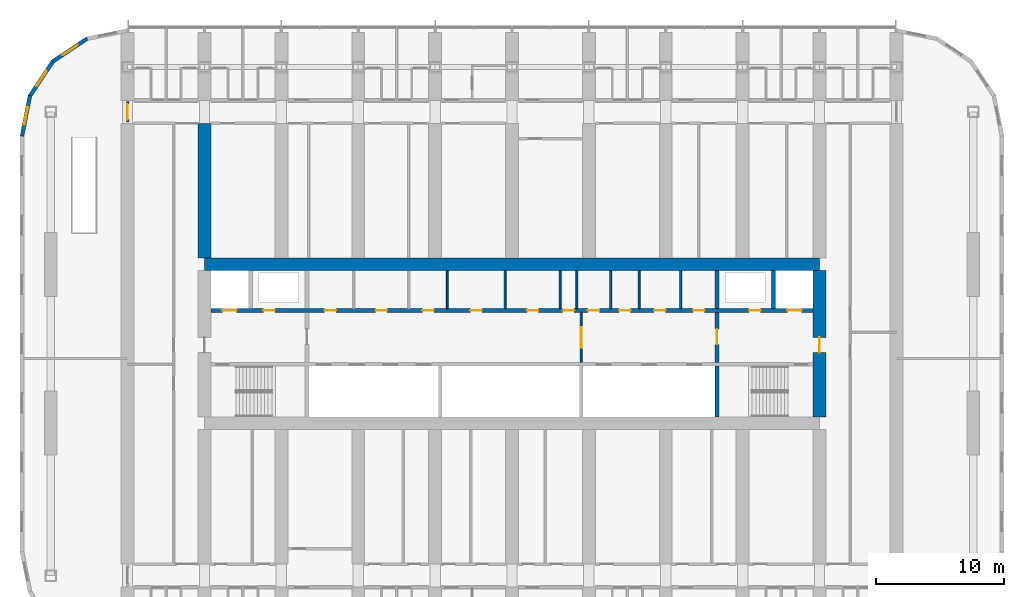
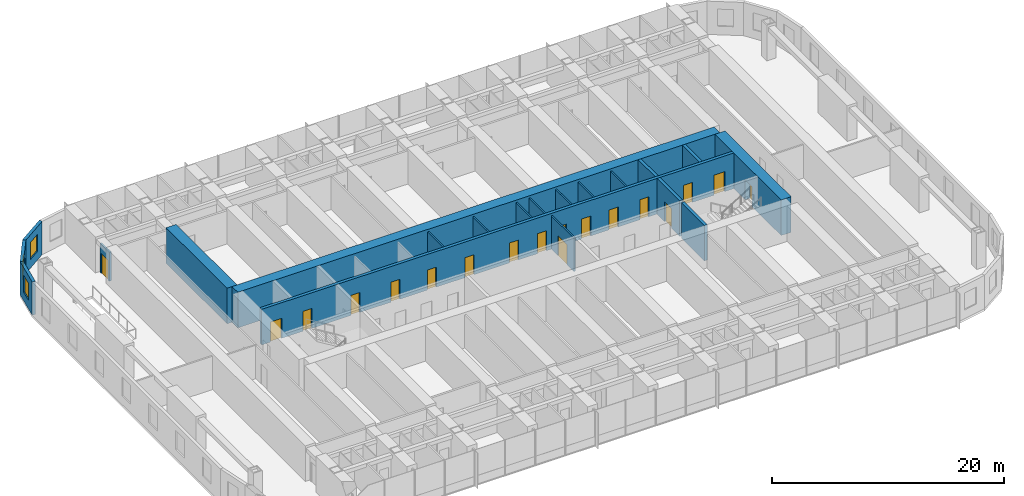
# One storey, part 14 of 24: 20 walls, 18 doors, 3 windows, 21 openings.
"""IFC4 building model written with IfcOpenShell, lengths in metres."""

from ifc_helpers import new_model, si_unit, direction, frame, frame_2d, origin, place, context, subcontext, project, spatial, polyline, rectangle, outline, extrude, material, layer, layer_set, type_object, element, fill, save


model = new_model("IFC4")

# Units and contexts
model_context = context("Model", 3, precision=1e-05, world=origin(), true_north=direction((0.0, 1.0)))
body_context = subcontext(model_context, "Body", "Model", "MODEL_VIEW")
ifc_project = project(units=[si_unit("LENGTHUNIT", "METRE"), si_unit("AREAUNIT", "SQUARE_METRE"), si_unit("VOLUMEUNIT", "CUBIC_METRE"), si_unit("PLANEANGLEUNIT", "RADIAN"), si_unit("MASSUNIT", "GRAM", prefix="KILO")], contexts=[model_context])

# Site, building, storey
site_placement = place(None, origin())
site = spatial("IfcSite", under=ifc_project, at=site_placement, CompositionType="ELEMENT")
building_placement = place(site_placement, origin())
building = spatial("IfcBuilding", under=site, at=building_placement, Name="Orbita Commons", CompositionType="ELEMENT")
storey_placement = place(building_placement, frame((0.0, 0.0, 27.699951171875)))
storey = spatial("IfcBuildingStorey", under=building, at=storey_placement, Name="L06", CompositionType="ELEMENT", Elevation=27.699951171875)

# Wall, openings, doors
ifc_material_1 = material(Name="Concrete C50/60", Category="concrete")
ifc_layer_1 = layer(ifc_material_1, 0.300048828125)
ifc_layer_set_1 = layer_set([ifc_layer_1], Name="Concrete C50/60")
wall_type_1 = type_object("IfcWallType", Name="Core inner wall 300 C50/60", PredefinedType="SHEAR", material=ifc_layer_set_1)
wall_1_placement = place(storey_placement, frame((18.5, 34.60009765625, 0.0), z_axis=(0.0, 0.0, 1.0), x_axis=(1.0, 0.0, 0.0)))
wall_1 = element("IfcWall", 1, at=wall_1_placement, inside=storey, type_object=wall_type_1, Name="Lobby wall north L06", PredefinedType="SHEAR", context=body_context, shape_type="SweptSolid", body=[
    extrude(rectangle(XDim=47.0, YDim=0.300048828125, at=frame_2d((23.5, 0.0))), origin(), (0.0, 0.0, 1.0), 3.75),
])
opening_1_placement = place(wall_1_placement, frame((0.89990234375, 0.0, 0.0)))
opening_1 = element("IfcOpeningElement", 2, at=opening_1_placement, cuts=wall_1, Name="Opening LD01", PredefinedType="OPENING", context=body_context, shape_type="SweptSolid", body=[
    extrude(rectangle(XDim=1.10009765625, YDim=2.10009765625, at=frame_2d((0.550048828125, 1.050048828125))), frame((0.0, 0.159912109375, 0.0), z_axis=(0.0, -1.0, 0.0), x_axis=(1.0, 0.0, 0.0)), (0.0, 0.0, 1.0), 0.320068359375),
])
opening_2_placement = place(wall_1_placement, frame((45.0, 0.0, 0.0)))
opening_2 = element("IfcOpeningElement", 3, at=opening_2_placement, cuts=wall_1, Name="Opening LD01", PredefinedType="OPENING", context=body_context, shape_type="SweptSolid", body=[
    extrude(rectangle(XDim=1.10009765625, YDim=2.10009765625, at=frame_2d((0.550048828125, 1.050048828125))), frame((0.0, 0.159912109375, 0.0), z_axis=(0.0, -1.0, 0.0), x_axis=(1.0, 0.0, 0.0)), (0.0, 0.0, 1.0), 0.320068359375),
])
opening_3_placement = place(wall_1_placement, frame((4.10009765625, 0.0, 0.0)))
opening_3 = element("IfcOpeningElement", 4, at=opening_3_placement, cuts=wall_1, Name="Opening D03", PredefinedType="OPENING", context=body_context, shape_type="SweptSolid", body=[
    extrude(rectangle(XDim=0.89990234375, YDim=2.10009765625, at=frame_2d((0.449951171875, 1.050048828125))), frame((0.0, 0.159912109375, 0.0), z_axis=(0.0, -1.0, 0.0), x_axis=(1.0, 0.0, 0.0)), (0.0, 0.0, 1.0), 0.320068359375),
])
opening_4_placement = place(wall_1_placement, frame((42.0, 0.0, 0.0)))
opening_4 = element("IfcOpeningElement", 5, at=opening_4_placement, cuts=wall_1, Name="Opening D03", PredefinedType="OPENING", context=body_context, shape_type="SweptSolid", body=[
    extrude(rectangle(XDim=0.89990234375, YDim=2.10009765625, at=frame_2d((0.449951171875, 1.050048828125))), frame((0.0, 0.159912109375, 0.0), z_axis=(0.0, -1.0, 0.0), x_axis=(1.0, 0.0, 0.0)), (0.0, 0.0, 1.0), 0.320068359375),
])
opening_5_placement = place(wall_1_placement, frame((8.87548828125, 0.0, 0.0)))
opening_5 = element("IfcOpeningElement", 6, at=opening_5_placement, cuts=wall_1, Name="Opening D03", PredefinedType="OPENING", context=body_context, shape_type="SweptSolid", body=[
    extrude(rectangle(XDim=0.89990234375, YDim=2.10009765625, at=frame_2d((0.449951171875, 1.050048828125))), frame((0.0, 0.159912109375, 0.0), z_axis=(0.0, -1.0, 0.0), x_axis=(1.0, 0.0, 0.0)), (0.0, 0.0, 1.0), 0.320068359375),
])
opening_6_placement = place(wall_1_placement, frame((12.8486328125, 0.0, 0.0)))
opening_6 = element("IfcOpeningElement", 7, at=opening_6_placement, cuts=wall_1, Name="Opening D03", PredefinedType="OPENING", context=body_context, shape_type="SweptSolid", body=[
    extrude(rectangle(XDim=0.89990234375, YDim=2.10009765625, at=frame_2d((0.449951171875, 1.050048828125))), frame((0.0, 0.159912109375, 0.0), z_axis=(0.0, -1.0, 0.0), x_axis=(1.0, 0.0, 0.0)), (0.0, 0.0, 1.0), 0.320068359375),
])
opening_7_placement = place(wall_1_placement, frame((16.496337890625, 0.0, 0.0)))
opening_7 = element("IfcOpeningElement", 8, at=opening_7_placement, cuts=wall_1, Name="Opening D03", PredefinedType="OPENING", context=body_context, shape_type="SweptSolid", body=[
    extrude(rectangle(XDim=0.89990234375, YDim=2.10009765625, at=frame_2d((0.449951171875, 1.050048828125))), frame((0.0, 0.159912109375, 0.0), z_axis=(0.0, -1.0, 0.0), x_axis=(1.0, 0.0, 0.0)), (0.0, 0.0, 1.0), 0.320068359375),
])
opening_8_placement = place(wall_1_placement, frame((20.254638671875, 0.0, 0.0)))
opening_8 = element("IfcOpeningElement", 9, at=opening_8_placement, cuts=wall_1, Name="Opening D03", PredefinedType="OPENING", context=body_context, shape_type="SweptSolid", body=[
    extrude(rectangle(XDim=0.89990234375, YDim=2.10009765625, at=frame_2d((0.449951171875, 1.050048828125))), frame((0.0, 0.159912109375, 0.0), z_axis=(0.0, -1.0, 0.0), x_axis=(1.0, 0.0, 0.0)), (0.0, 0.0, 1.0), 0.320068359375),
])
opening_9_placement = place(wall_1_placement, frame((24.66064453125, 0.0, 0.0)))
opening_9 = element("IfcOpeningElement", 10, at=opening_9_placement, cuts=wall_1, Name="Opening D03", PredefinedType="OPENING", context=body_context, shape_type="SweptSolid", body=[
    extrude(rectangle(XDim=0.89990234375, YDim=2.10009765625, at=frame_2d((0.449951171875, 1.050048828125))), frame((0.0, 0.159912109375, 0.0), z_axis=(0.0, -1.0, 0.0), x_axis=(1.0, 0.0, 0.0)), (0.0, 0.0, 1.0), 0.320068359375),
])
opening_10_placement = place(wall_1_placement, frame((27.45849609375, 0.0, 0.0)))
opening_10 = element("IfcOpeningElement", 11, at=opening_10_placement, cuts=wall_1, Name="Opening D03", PredefinedType="OPENING", context=body_context, shape_type="SweptSolid", body=[
    extrude(rectangle(XDim=0.89990234375, YDim=2.10009765625, at=frame_2d((0.449951171875, 1.050048828125))), frame((0.0, 0.159912109375, 0.0), z_axis=(0.0, -1.0, 0.0), x_axis=(1.0, 0.0, 0.0)), (0.0, 0.0, 1.0), 0.320068359375),
])
opening_11_placement = place(wall_1_placement, frame((29.42529296875, 0.0, 0.0)))
opening_11 = element("IfcOpeningElement", 12, at=opening_11_placement, cuts=wall_1, Name="Opening D05", PredefinedType="OPENING", context=body_context, shape_type="SweptSolid", body=[
    extrude(rectangle(XDim=0.89990234375, YDim=2.10009765625, at=frame_2d((0.449951171875, 1.050048828125))), frame((0.0, 0.159912109375, 0.0), z_axis=(0.0, -1.0, 0.0), x_axis=(1.0, 0.0, 0.0)), (0.0, 0.0, 1.0), 0.320068359375),
])
opening_12_placement = place(wall_1_placement, frame((31.85693359375, 0.0, 0.0)))
opening_12 = element("IfcOpeningElement", 13, at=opening_12_placement, cuts=wall_1, Name="Opening D05", PredefinedType="OPENING", context=body_context, shape_type="SweptSolid", body=[
    extrude(rectangle(XDim=0.89990234375, YDim=2.10009765625, at=frame_2d((0.449951171875, 1.050048828125))), frame((0.0, 0.159912109375, 0.0), z_axis=(0.0, -1.0, 0.0), x_axis=(1.0, 0.0, 0.0)), (0.0, 0.0, 1.0), 0.320068359375),
])
opening_13_placement = place(wall_1_placement, frame((34.59228515625, 0.0, 0.0)))
opening_13 = element("IfcOpeningElement", 14, at=opening_13_placement, cuts=wall_1, Name="Opening D05", PredefinedType="OPENING", context=body_context, shape_type="SweptSolid", body=[
    extrude(rectangle(XDim=0.89990234375, YDim=2.10009765625, at=frame_2d((0.449951171875, 1.050048828125))), frame((0.0, 0.159912109375, 0.0), z_axis=(0.0, -1.0, 0.0), x_axis=(1.0, 0.0, 0.0)), (0.0, 0.0, 1.0), 0.320068359375),
])
opening_14_placement = place(wall_1_placement, frame((37.631591796875, 0.0, 0.0)))
opening_14 = element("IfcOpeningElement", 15, at=opening_14_placement, cuts=wall_1, Name="Opening D03", PredefinedType="OPENING", context=body_context, shape_type="SweptSolid", body=[
    extrude(rectangle(XDim=0.89990234375, YDim=2.10009765625, at=frame_2d((0.449951171875, 1.050048828125))), frame((0.0, 0.159912109375, 0.0), z_axis=(0.0, -1.0, 0.0), x_axis=(1.0, 0.0, 0.0)), (0.0, 0.0, 1.0), 0.320068359375),
])
ifc_material_2 = material(Name="Steel-faced fire door leaf", Category="steel")
door_type_1 = type_object("IfcDoorType", Name="Firefighting lift landing door 1100x2100", OperationType="DOUBLE_DOOR_SLIDING", PredefinedType="DOOR", material=ifc_material_2)
door_1_placement = place(opening_1_placement, origin())
door_1 = element("IfcDoor", 16, at=door_1_placement, inside=storey, type_object=door_type_1, Name="Firefighting lift FL1 landing door", OperationType="DOUBLE_DOOR_SLIDING", OverallHeight=2.10009765625, OverallWidth=1.10009765625, PredefinedType="DOOR", context=body_context, shape_type="SweptSolid", body=[
    extrude(rectangle(XDim=1.10009765625, YDim=2.10009765625, at=frame_2d((0.550048828125, 1.050048828125))), frame((0.0, 0.02490234375, 0.0), z_axis=(0.0, -1.0, 0.0), x_axis=(1.0, 0.0, 0.0)), (0.0, 0.0, 1.0), 0.050048828125),
])
fill(opening_1, door_1)
door_2_placement = place(opening_2_placement, origin())
door_2 = element("IfcDoor", 17, at=door_2_placement, inside=storey, type_object=door_type_1, Name="Firefighting lift FL2 landing door", OperationType="DOUBLE_DOOR_SLIDING", OverallHeight=2.10009765625, OverallWidth=1.10009765625, PredefinedType="DOOR", context=body_context, shape_type="SweptSolid", body=[
    extrude(rectangle(XDim=1.10009765625, YDim=2.10009765625, at=frame_2d((0.550048828125, 1.050048828125))), frame((0.0, 0.02490234375, 0.0), z_axis=(0.0, -1.0, 0.0), x_axis=(1.0, 0.0, 0.0)), (0.0, 0.0, 1.0), 0.050048828125),
])
fill(opening_2, door_2)
ifc_material_3 = material(Name="Steel-faced fire door leaf", Category="steel")
door_type_2 = type_object("IfcDoorType", Name="Service door 20 min 900x2100", OperationType="SINGLE_SWING_LEFT", PredefinedType="DOOR", material=ifc_material_3)
door_3_placement = place(opening_11_placement, origin())
door_3 = element("IfcDoor", 18, at=door_3_placement, inside=storey, type_object=door_type_2, Name="Accessible WC door", OperationType="SINGLE_SWING_LEFT", OverallHeight=2.10009765625, OverallWidth=0.89990234375, PredefinedType="DOOR", context=body_context, shape_type="SweptSolid", body=[
    extrude(rectangle(XDim=0.89990234375, YDim=2.10009765625, at=frame_2d((0.449951171875, 1.050048828125))), frame((0.0, 0.02490234375, 0.0), z_axis=(0.0, -1.0, 0.0), x_axis=(1.0, 0.0, 0.0)), (0.0, 0.0, 1.0), 0.050048828125),
])
fill(opening_11, door_3)
door_4_placement = place(opening_12_placement, origin())
door_4 = element("IfcDoor", 19, at=door_4_placement, inside=storey, type_object=door_type_2, Name="Staff WC door", OperationType="SINGLE_SWING_LEFT", OverallHeight=2.10009765625, OverallWidth=0.89990234375, PredefinedType="DOOR", context=body_context, shape_type="SweptSolid", body=[
    extrude(rectangle(XDim=0.89990234375, YDim=2.10009765625, at=frame_2d((0.449951171875, 1.050048828125))), frame((0.0, 0.02490234375, 0.0), z_axis=(0.0, -1.0, 0.0), x_axis=(1.0, 0.0, 0.0)), (0.0, 0.0, 1.0), 0.050048828125),
])
fill(opening_12, door_4)
door_5_placement = place(opening_13_placement, origin())
door_5 = element("IfcDoor", 20, at=door_5_placement, inside=storey, type_object=door_type_2, Name="Guest pantry door", OperationType="SINGLE_SWING_LEFT", OverallHeight=2.10009765625, OverallWidth=0.89990234375, PredefinedType="DOOR", context=body_context, shape_type="SweptSolid", body=[
    extrude(rectangle(XDim=0.89990234375, YDim=2.10009765625, at=frame_2d((0.449951171875, 1.050048828125))), frame((0.0, 0.02490234375, 0.0), z_axis=(0.0, -1.0, 0.0), x_axis=(1.0, 0.0, 0.0)), (0.0, 0.0, 1.0), 0.050048828125),
])
fill(opening_13, door_5)
ifc_material_4 = material(Name="Steel-faced fire door leaf", Category="steel")
door_type_3 = type_object("IfcDoorType", Name="Shaft access door 90 min 900x2100", OperationType="SINGLE_SWING_LEFT", PredefinedType="DOOR", material=ifc_material_4)
door_6_placement = place(opening_3_placement, origin())
door_6 = element("IfcDoor", 21, at=door_6_placement, inside=storey, type_object=door_type_3, Name="Riser door west", OperationType="SINGLE_SWING_LEFT", OverallHeight=2.10009765625, OverallWidth=0.89990234375, PredefinedType="DOOR", context=body_context, shape_type="SweptSolid", body=[
    extrude(rectangle(XDim=0.89990234375, YDim=2.10009765625, at=frame_2d((0.449951171875, 1.050048828125))), frame((0.0, 0.02490234375, 0.0), z_axis=(0.0, -1.0, 0.0), x_axis=(1.0, 0.0, 0.0)), (0.0, 0.0, 1.0), 0.050048828125),
])
fill(opening_3, door_6)
door_7_placement = place(opening_4_placement, origin())
door_7 = element("IfcDoor", 22, at=door_7_placement, inside=storey, type_object=door_type_3, Name="Riser door east", OperationType="SINGLE_SWING_LEFT", OverallHeight=2.10009765625, OverallWidth=0.89990234375, PredefinedType="DOOR", context=body_context, shape_type="SweptSolid", body=[
    extrude(rectangle(XDim=0.89990234375, YDim=2.10009765625, at=frame_2d((0.449951171875, 1.050048828125))), frame((0.0, 0.02490234375, 0.0), z_axis=(0.0, -1.0, 0.0), x_axis=(1.0, 0.0, 0.0)), (0.0, 0.0, 1.0), 0.050048828125),
])
fill(opening_4, door_7)
door_8_placement = place(opening_5_placement, origin())
door_8 = element("IfcDoor", 23, at=door_8_placement, inside=storey, type_object=door_type_3, Name="Cleaners store door", OperationType="SINGLE_SWING_LEFT", OverallHeight=2.10009765625, OverallWidth=0.89990234375, PredefinedType="DOOR", context=body_context, shape_type="SweptSolid", body=[
    extrude(rectangle(XDim=0.89990234375, YDim=2.10009765625, at=frame_2d((0.449951171875, 1.050048828125))), frame((0.0, 0.02490234375, 0.0), z_axis=(0.0, -1.0, 0.0), x_axis=(1.0, 0.0, 0.0)), (0.0, 0.0, 1.0), 0.050048828125),
])
fill(opening_5, door_8)
door_9_placement = place(opening_6_placement, origin())
door_9 = element("IfcDoor", 24, at=door_9_placement, inside=storey, type_object=door_type_3, Name="Refuse chute room door", OperationType="SINGLE_SWING_LEFT", OverallHeight=2.10009765625, OverallWidth=0.89990234375, PredefinedType="DOOR", context=body_context, shape_type="SweptSolid", body=[
    extrude(rectangle(XDim=0.89990234375, YDim=2.10009765625, at=frame_2d((0.449951171875, 1.050048828125))), frame((0.0, 0.02490234375, 0.0), z_axis=(0.0, -1.0, 0.0), x_axis=(1.0, 0.0, 0.0)), (0.0, 0.0, 1.0), 0.050048828125),
])
fill(opening_6, door_9)
door_10_placement = place(opening_7_placement, origin())
door_10 = element("IfcDoor", 25, at=door_10_placement, inside=storey, type_object=door_type_3, Name="Electrical riser room door", OperationType="SINGLE_SWING_LEFT", OverallHeight=2.10009765625, OverallWidth=0.89990234375, PredefinedType="DOOR", context=body_context, shape_type="SweptSolid", body=[
    extrude(rectangle(XDim=0.89990234375, YDim=2.10009765625, at=frame_2d((0.449951171875, 1.050048828125))), frame((0.0, 0.02490234375, 0.0), z_axis=(0.0, -1.0, 0.0), x_axis=(1.0, 0.0, 0.0)), (0.0, 0.0, 1.0), 0.050048828125),
])
fill(opening_7, door_10)
door_11_placement = place(opening_8_placement, origin())
door_11 = element("IfcDoor", 26, at=door_11_placement, inside=storey, type_object=door_type_3, Name="IT room door", OperationType="SINGLE_SWING_LEFT", OverallHeight=2.10009765625, OverallWidth=0.89990234375, PredefinedType="DOOR", context=body_context, shape_type="SweptSolid", body=[
    extrude(rectangle(XDim=0.89990234375, YDim=2.10009765625, at=frame_2d((0.449951171875, 1.050048828125))), frame((0.0, 0.02490234375, 0.0), z_axis=(0.0, -1.0, 0.0), x_axis=(1.0, 0.0, 0.0)), (0.0, 0.0, 1.0), 0.050048828125),
])
fill(opening_8, door_11)
door_12_placement = place(opening_9_placement, origin())
door_12 = element("IfcDoor", 27, at=door_12_placement, inside=storey, type_object=door_type_3, Name="Communications room door", OperationType="SINGLE_SWING_LEFT", OverallHeight=2.10009765625, OverallWidth=0.89990234375, PredefinedType="DOOR", context=body_context, shape_type="SweptSolid", body=[
    extrude(rectangle(XDim=0.89990234375, YDim=2.10009765625, at=frame_2d((0.449951171875, 1.050048828125))), frame((0.0, 0.02490234375, 0.0), z_axis=(0.0, -1.0, 0.0), x_axis=(1.0, 0.0, 0.0)), (0.0, 0.0, 1.0), 0.050048828125),
])
fill(opening_9, door_12)
door_13_placement = place(opening_10_placement, origin())
door_13 = element("IfcDoor", 28, at=door_13_placement, inside=storey, type_object=door_type_3, Name="Stair pressurisation duct door", OperationType="SINGLE_SWING_LEFT", OverallHeight=2.10009765625, OverallWidth=0.89990234375, PredefinedType="DOOR", context=body_context, shape_type="SweptSolid", body=[
    extrude(rectangle(XDim=0.89990234375, YDim=2.10009765625, at=frame_2d((0.449951171875, 1.050048828125))), frame((0.0, 0.02490234375, 0.0), z_axis=(0.0, -1.0, 0.0), x_axis=(1.0, 0.0, 0.0)), (0.0, 0.0, 1.0), 0.050048828125),
])
fill(opening_10, door_13)
door_14_placement = place(opening_14_placement, origin())
door_14 = element("IfcDoor", 29, at=door_14_placement, inside=storey, type_object=door_type_3, Name="Linen store door", OperationType="SINGLE_SWING_LEFT", OverallHeight=2.10009765625, OverallWidth=0.89990234375, PredefinedType="DOOR", context=body_context, shape_type="SweptSolid", body=[
    extrude(rectangle(XDim=0.89990234375, YDim=2.10009765625, at=frame_2d((0.449951171875, 1.050048828125))), frame((0.0, 0.02490234375, 0.0), z_axis=(0.0, -1.0, 0.0), x_axis=(1.0, 0.0, 0.0)), (0.0, 0.0, 1.0), 0.050048828125),
])
fill(opening_14, door_14)

# Wall
wall_2_placement = place(storey_placement, frame((58.0, 26.300048828125, 0.0), z_axis=(0.0, 0.0, 1.0), x_axis=(0.0, 1.0, 0.0)))
element("IfcWall", 30, at=wall_2_placement, inside=storey, type_object=wall_type_1, Name="Stair S2 wall L06", PredefinedType="SHEAR", context=body_context, shape_type="SweptSolid", body=[
    extrude(rectangle(XDim=3.949951171875, YDim=0.300048828125, at=frame_2d((1.97509765625, 0.0))), origin(), (0.0, 0.0, 1.0), 3.75),
])

# Wall, opening, door
wall_3_placement = place(storey_placement, frame((58.0, 30.550048828125, 0.0), z_axis=(0.0, 0.0, 1.0), x_axis=(0.0, 1.0, 0.0)))
wall_3 = element("IfcWall", 31, at=wall_3_placement, inside=storey, type_object=wall_type_1, Name="Firefighting lobby wall east L06", PredefinedType="SHEAR", context=body_context, shape_type="SweptSolid", body=[
    extrude(rectangle(XDim=3.89990234375, YDim=0.300048828125, at=frame_2d((1.949951171875, 0.0))), origin(), (0.0, 0.0, 1.0), 3.75),
])
opening_15_placement = place(wall_3_placement, frame((1.39990234375, 0.0, 0.0)))
opening_15 = element("IfcOpeningElement", 32, at=opening_15_placement, cuts=wall_3, Name="Opening D04", PredefinedType="OPENING", context=body_context, shape_type="SweptSolid", body=[
    extrude(rectangle(XDim=1.199951171875, YDim=2.10009765625, at=frame_2d((0.60009765625, 1.050048828125))), frame((0.0, 0.159912109375, 0.0), z_axis=(0.0, -1.0, 0.0), x_axis=(1.0, 0.0, 0.0)), (0.0, 0.0, 1.0), 0.320068359375),
])
ifc_material_5 = material(Name="Steel-faced fire door leaf", Category="steel")
door_type_4 = type_object("IfcDoorType", Name="Service door 20 min 1200x2100", OperationType="SINGLE_SWING_LEFT", PredefinedType="DOOR", material=ifc_material_5)
door_15_placement = place(opening_15_placement, origin())
door_15 = element("IfcDoor", 33, at=door_15_placement, inside=storey, type_object=door_type_4, Name="Lift lobby door east", OperationType="SINGLE_SWING_LEFT", OverallHeight=2.10009765625, OverallWidth=1.199951171875, PredefinedType="DOOR", context=body_context, shape_type="SweptSolid", body=[
    extrude(rectangle(XDim=1.199951171875, YDim=2.10009765625, at=frame_2d((0.60009765625, 1.050048828125))), frame((0.0, 0.02490234375, 0.0), z_axis=(0.0, -1.0, 0.0), x_axis=(1.0, 0.0, 0.0)), (0.0, 0.0, 1.0), 0.050048828125),
])
fill(opening_15, door_15)

# Walls
for number, where, z_axis, x_axis, name in (
    (34, (62.39990234375, 34.75, 0.0), (0.0, 0.0, 1.0), (0.0, 1.0, 0.0), "Firefighting lift FL2 shaft wall L06"),
    (35, (58.0, 34.75, 0.0), (0.0, 0.0, 1.0), (0.0, 1.0, 0.0), "Riser wall east L06"),
):
    element("IfcWall", number, at=place(storey_placement, frame(where, z_axis=z_axis, x_axis=x_axis)), inside=storey, type_object=wall_type_1, Name=name, PredefinedType="SHEAR", context=body_context, shape_type="SweptSolid", body=[
        extrude(rectangle(XDim=2.949951171875, YDim=0.300048828125, at=frame_2d((1.47509765625, 0.0))), origin(), (0.0, 0.0, 1.0), 3.75),
    ])

# Wall, opening, door
ifc_material_6 = material(Name="Concrete blockwork", Category="masonry")
ifc_layer_2 = layer(ifc_material_6, 0.14990234375)
ifc_layer_set_2 = layer_set([ifc_layer_2], Name="Concrete blockwork")
wall_type_2 = type_object("IfcWallType", Name="Core partition 150 blockwork", PredefinedType="SOLIDWALL", material=ifc_layer_set_2)
wall_4_placement = place(storey_placement, frame((47.39990234375, 30.550048828125, 0.0), z_axis=(0.0, 0.0, 1.0), x_axis=(0.0, 1.0, 0.0)))
wall_4 = element("IfcWall", 36, at=wall_4_placement, inside=storey, type_object=wall_type_2, Name="Core partition 150 blockwork L06", PredefinedType="SOLIDWALL", context=body_context, shape_type="SweptSolid", body=[
    extrude(rectangle(XDim=3.89990234375, YDim=0.14990234375, at=frame_2d((1.949951171875, 0.0))), origin(), (0.0, 0.0, 1.0), 3.5),
])
opening_16_placement = place(wall_4_placement, frame((1.14990234375, 0.0, 0.0)))
opening_16 = element("IfcOpeningElement", 37, at=opening_16_placement, cuts=wall_4, Name="Opening D10", PredefinedType="OPENING", context=body_context, shape_type="SweptSolid", body=[
    extrude(rectangle(XDim=1.60009765625, YDim=2.10009765625, at=frame_2d((0.800048828125, 1.050048828125))), frame((0.0, 0.0849609375, 0.0), z_axis=(0.0, -1.0, 0.0), x_axis=(1.0, 0.0, 0.0)), (0.0, 0.0, 1.0), 0.169921875),
])
ifc_material_7 = material(Name="Steel-faced fire door leaf", Category="steel")
door_type_5 = type_object("IfcDoorType", Name="Double corridor door 20 min 1600x2100", OperationType="DOUBLE_DOOR_SINGLE_SWING", PredefinedType="DOOR", material=ifc_material_7)
door_16_placement = place(opening_16_placement, origin())
door_16 = element("IfcDoor", 38, at=door_16_placement, inside=storey, type_object=door_type_5, Name="Lift lobby screen doors", OperationType="DOUBLE_DOOR_SINGLE_SWING", OverallHeight=2.10009765625, OverallWidth=1.60009765625, PredefinedType="DOOR", context=body_context, shape_type="SweptSolid", body=[
    extrude(rectangle(XDim=1.60009765625, YDim=2.10009765625, at=frame_2d((0.800048828125, 1.050048828125))), frame((0.0, 0.02490234375, 0.0), z_axis=(0.0, -1.0, 0.0), x_axis=(1.0, 0.0, 0.0)), (0.0, 0.0, 1.0), 0.050048828125),
])
fill(opening_16, door_16)

# Walls
for number, where, z_axis, x_axis, name in (
    (39, (36.9462890625, 34.75, 0.0), (0.0, 0.0, 1.0), (0.0, 1.0, 0.0), "Core partition 150 blockwork L06"),
    (40, (41.463134765625, 34.75, 0.0), (0.0, 0.0, 1.0), (0.0, 1.0, 0.0), "Core partition 150 blockwork L06"),
    (41, (45.75830078125, 34.75, 0.0), (0.0, 0.0, 1.0), (0.0, 1.0, 0.0), "Core partition 150 blockwork L06"),
    (42, (47.058349609375, 34.75, 0.0), (0.0, 0.0, 1.0), (0.0, 1.0, 0.0), "Core partition 150 blockwork L06"),
    (43, (49.6923828125, 34.75, 0.0), (0.0, 0.0, 1.0), (0.0, 1.0, 0.0), "Core partition 150 blockwork L06"),
    (44, (51.92138671875, 34.75, 0.0), (0.0, 0.0, 1.0), (0.0, 1.0, 0.0), "Core partition 150 blockwork L06"),
    (45, (55.163330078125, 34.75, 0.0), (0.0, 0.0, 1.0), (0.0, 1.0, 0.0), "Core partition 150 blockwork L06"),
):
    element("IfcWall", number, at=place(storey_placement, frame(where, z_axis=z_axis, x_axis=x_axis)), inside=storey, type_object=wall_type_2, Name=name, PredefinedType="SOLIDWALL", context=body_context, shape_type="SweptSolid", body=[
        extrude(rectangle(XDim=2.949951171875, YDim=0.14990234375, at=frame_2d((1.47509765625, 0.0))), origin(), (0.0, 0.0, 1.0), 3.5),
    ])
ifc_material_8 = material(Name="Concrete C50/60", Category="concrete")
ifc_layer_3 = layer(ifc_material_8, 1.0)
ifc_layer_set_3 = layer_set([ifc_layer_3], Name="Concrete C50/60")
wall_type_3 = type_object("IfcWallType", Name="Core wall 1000 C50/60", PredefinedType="SHEAR", material=ifc_layer_set_3)
wall_5_placement = place(storey_placement, frame((18.0, 38.199951171875, 0.0), z_axis=(0.0, 0.0, 1.0), x_axis=(1.0, 0.0, 0.0)))
element("IfcWall", 46, at=wall_5_placement, inside=storey, type_object=wall_type_3, Name="Core spine wall north L06", PredefinedType="SHEAR", context=body_context, shape_type="SweptSolid", body=[
    extrude(rectangle(XDim=48.0, YDim=1.0, at=frame_2d((24.0, 0.0))), origin(), (0.0, 0.0, 1.0), 3.75),
])

# Wall, opening, door
wall_6_placement = place(storey_placement, frame((66.0, 26.300048828125, 0.0), z_axis=(0.0, 0.0, 1.0), x_axis=(0.0, 1.0, 0.0)))
wall_6 = element("IfcWall", 47, at=wall_6_placement, inside=storey, type_object=wall_type_3, Name="Core end wall east L06", PredefinedType="SHEAR", context=body_context, shape_type="SweptSolid", body=[
    extrude(rectangle(XDim=11.39990234375, YDim=1.0, at=frame_2d((5.699951171875, 0.0))), origin(), (0.0, 0.0, 1.0), 3.75),
])
opening_17_placement = place(wall_6_placement, frame((5.0, 0.0, 0.0)))
opening_17 = element("IfcOpeningElement", 48, at=opening_17_placement, cuts=wall_6, Name="Opening D01", PredefinedType="OPENING", context=body_context, shape_type="SweptSolid", body=[
    extrude(rectangle(XDim=1.199951171875, YDim=2.10009765625, at=frame_2d((0.60009765625, 1.050048828125))), frame((0.0, 0.510009765625, 0.0), z_axis=(0.0, -1.0, 0.0), x_axis=(1.0, 0.0, 0.0)), (0.0, 0.0, 1.0), 1.02001953125),
])
ifc_material_9 = material(Name="Steel-faced fire door leaf", Category="steel")
door_type_6 = type_object("IfcDoorType", Name="Fire door 90 min 1200x2100", OperationType="SINGLE_SWING_LEFT", PredefinedType="DOOR", material=ifc_material_9)
door_17_placement = place(opening_17_placement, origin())
door_17 = element("IfcDoor", 49, at=door_17_placement, inside=storey, type_object=door_type_6, Name="Firefighting lobby east door", OperationType="SINGLE_SWING_LEFT", OverallHeight=2.10009765625, OverallWidth=1.199951171875, PredefinedType="DOOR", context=body_context, shape_type="SweptSolid", body=[
    extrude(rectangle(XDim=1.199951171875, YDim=2.10009765625, at=frame_2d((0.60009765625, 1.050048828125))), frame((0.0, 0.02490234375, 0.0), z_axis=(0.0, -1.0, 0.0), x_axis=(1.0, 0.0, 0.0)), (0.0, 0.0, 1.0), 0.050048828125),
])
fill(opening_17, door_17)

ifc_material_10 = material(Name="Concrete blockwork", Category="masonry")
ifc_layer_4 = layer(ifc_material_10, 0.199951171875)
ifc_layer_set_4 = layer_set([ifc_layer_4], Name="Concrete blockwork")
wall_type_4 = type_object("IfcWallType", Name="Corridor wall 200 blockwork", PredefinedType="SOLIDWALL", material=ifc_layer_set_4)
wall_7_placement = place(storey_placement, frame((12.0, 49.300048828125, 0.0), z_axis=(0.0, 0.0, 1.0), x_axis=(0.0, 1.0, 0.0)))
wall_7 = element("IfcWall", 50, at=wall_7_placement, inside=storey, type_object=wall_type_4, Name="Corridor wall 200 blockwork L06", PredefinedType="SOLIDWALL", context=body_context, shape_type="SweptSolid", body=[
    extrude(outline(polyline([(0.0, 0.0), (1.599853515625, 0.0), (1.60009765625, 3.050048828125), (0.0, 3.050048828125), (0.0, 0.0)])), frame((0.0, 0.10009765625, 0.0), z_axis=(0.0, -1.0, 0.0), x_axis=(1.0, 0.0, 0.0)), (0.0, 0.0, 1.0), 0.199951171875),
])
opening_18_placement = place(wall_7_placement, frame((0.199951171875, 0.0, 0.0)))
opening_18 = element("IfcOpeningElement", 51, at=opening_18_placement, cuts=wall_7, Name="Opening D12", PredefinedType="OPENING", context=body_context, shape_type="SweptSolid", body=[
    extrude(rectangle(XDim=1.199951171875, YDim=2.10009765625, at=frame_2d((0.60009765625, 1.050048828125))), frame((0.0, 0.10986328125, 0.0), z_axis=(0.0, -1.0, 0.0), x_axis=(1.0, 0.0, 0.0)), (0.0, 0.0, 1.0), 0.219970703125),
])
ifc_material_11 = material(Name="Steel-faced fire door leaf", Category="steel")
door_type_7 = type_object("IfcDoorType", Name="Double corridor door 20 min 1200x2100", OperationType="DOUBLE_DOOR_SINGLE_SWING", PredefinedType="DOOR", material=ifc_material_11)
door_18_placement = place(opening_18_placement, origin())
door_18 = element("IfcDoor", 52, at=door_18_placement, inside=storey, type_object=door_type_7, Name="Lounge doors", OperationType="DOUBLE_DOOR_SINGLE_SWING", OverallHeight=2.10009765625, OverallWidth=1.199951171875, PredefinedType="DOOR", context=body_context, shape_type="SweptSolid", body=[
    extrude(rectangle(XDim=1.199951171875, YDim=2.10009765625, at=frame_2d((0.60009765625, 1.050048828125))), frame((0.0, 0.02490234375, 0.0), z_axis=(0.0, -1.0, 0.0), x_axis=(1.0, 0.0, 0.0)), (0.0, 0.0, 1.0), 0.050048828125),
])
fill(opening_18, door_18)

# Wall
ifc_material_12 = material(Name="Concrete C50/60", Category="concrete")
ifc_layer_5 = layer(ifc_material_12, 1.0)
ifc_layer_set_5 = layer_set([ifc_layer_5], Name="Concrete C50/60")
wall_type_5 = type_object("IfcWallType", Name="Cross wall 1000 C50/60", PredefinedType="SHEAR", material=ifc_layer_set_5)
wall_8_placement = place(storey_placement, frame((18.0, 38.699951171875, 0.0), z_axis=(0.0, 0.0, 1.0), x_axis=(0.0, 1.0, 0.0)))
element("IfcWall", 53, at=wall_8_placement, inside=storey, type_object=wall_type_5, Name="Cross wall 4 north inner L06", PredefinedType="SHEAR", context=body_context, shape_type="SweptSolid", body=[
    extrude(rectangle(XDim=10.5, YDim=1.0, at=frame_2d((5.25, 0.0))), origin(), (0.0, 0.0, 1.0), 3.75),
])

# Wall, opening, window
ifc_material_13 = material(Name="Precast concrete C40/50, white board-marked finish", Category="concrete")
ifc_layer_6 = layer(ifc_material_13, 0.300048828125)
ifc_layer_set_6 = layer_set([ifc_layer_6], Name="Precast concrete C40/50, white board-marked finish")
wall_type_6 = type_object("IfcWallType", Name="Precast concrete end shield 300", PredefinedType="SOLIDWALL", material=ifc_layer_set_6)
wall_9_placement = place(storey_placement, frame((8.843017578125, 55.822021484375, 0.0), z_axis=(0.0, 0.0, 1.0), x_axis=(-0.831478105043, -0.555557522525, 0.0)))
wall_9 = element("IfcWall", 54, at=wall_9_placement, inside=storey, type_object=wall_type_6, Name="End shield NW chord 2 L06", PredefinedType="SOLIDWALL", context=body_context, shape_type="SweptSolid", body=[
    extrude(outline(polyline([(-0.02978515625, -0.14990234375), (3.248779296875, -0.14990234375), (3.189208984375, 0.14990234375), (0.02978515625, 0.14990234375), (-0.02978515625, -0.14990234375)])), origin(), (0.0, 0.0, 1.0), 3.5),
])
opening_19_placement = place(wall_9_placement, frame((0.909423828125, 0.0, 0.89990234375)))
opening_19 = element("IfcOpeningElement", 55, at=opening_19_placement, cuts=wall_9, Name="Opening W02", PredefinedType="OPENING", context=body_context, shape_type="SweptSolid", body=[
    extrude(rectangle(XDim=1.39990234375, YDim=1.800048828125, at=frame_2d((0.699951171875, 0.89990234375))), frame((0.0, 0.159912109375, 0.0), z_axis=(0.0, -1.0, 0.0), x_axis=(1.0, 0.0, 0.0)), (0.0, 0.0, 1.0), 0.320068359375),
])
ifc_material_14 = material(Name="Aluminium frame, clear double glazing", Category="aluminium")
window_type = type_object("IfcWindowType", Name="Deep-set window 1400x1800", PartitioningType="SINGLE_PANEL", PredefinedType="WINDOW", material=ifc_material_14)
window_1_placement = place(opening_19_placement, origin())
window_1 = element("IfcWindow", 56, at=window_1_placement, inside=storey, type_object=window_type, Name="Window L06-NW1", OverallHeight=1.800048828125, OverallWidth=1.39990234375, PartitioningType="SINGLE_PANEL", PredefinedType="WINDOW", context=body_context, shape_type="SweptSolid", body=[
    extrude(rectangle(XDim=1.39990234375, YDim=1.800048828125, at=frame_2d((0.699951171875, 0.89990234375))), frame((0.0, 0.030029296875, 0.0), z_axis=(0.0, -1.0, 0.0), x_axis=(1.0, 0.0, 0.0)), (0.0, 0.0, 1.0), 0.06005859375),
])
fill(opening_19, window_1)

wall_10_placement = place(storey_placement, frame((6.16650390625, 54.03369140625, 0.0), z_axis=(0.0, 0.0, 1.0), x_axis=(-0.555609954424, -0.831443069936, 0.0)))
wall_10 = element("IfcWall", 57, at=wall_10_placement, inside=storey, type_object=wall_type_6, Name="End shield NW chord 3 L06", PredefinedType="SOLIDWALL", context=body_context, shape_type="SweptSolid", body=[
    extrude(outline(polyline([(-0.02978515625, -0.14990234375), (3.2490234375, -0.14990234375), (3.189453125, 0.14990234375), (0.02978515625, 0.14990234375), (-0.02978515625, -0.14990234375)])), origin(), (0.0, 0.0, 1.0), 3.5),
])
opening_20_placement = place(wall_10_placement, frame((0.909423828125, 0.0, 0.89990234375)))
opening_20 = element("IfcOpeningElement", 58, at=opening_20_placement, cuts=wall_10, Name="Opening W02", PredefinedType="OPENING", context=body_context, shape_type="SweptSolid", body=[
    extrude(rectangle(XDim=1.39990234375, YDim=1.800048828125, at=frame_2d((0.699951171875, 0.89990234375))), frame((0.0, 0.159912109375, 0.0), z_axis=(0.0, -1.0, 0.0), x_axis=(1.0, 0.0, 0.0)), (0.0, 0.0, 1.0), 0.320068359375),
])
window_2_placement = place(opening_20_placement, origin())
window_2 = element("IfcWindow", 59, at=window_2_placement, inside=storey, type_object=window_type, Name="Window L06-NW2", OverallHeight=1.800048828125, OverallWidth=1.39990234375, PartitioningType="SINGLE_PANEL", PredefinedType="WINDOW", context=body_context, shape_type="SweptSolid", body=[
    extrude(rectangle(XDim=1.39990234375, YDim=1.800048828125, at=frame_2d((0.699951171875, 0.89990234375))), frame((0.0, 0.030029296875, 0.0), z_axis=(0.0, -1.0, 0.0), x_axis=(1.0, 0.0, 0.0)), (0.0, 0.0, 1.0), 0.06005859375),
])
fill(opening_20, window_2)

wall_11_placement = place(storey_placement, frame((4.3779296875, 51.357177734375, 0.0), z_axis=(0.0, 0.0, 1.0), x_axis=(-0.195065901187, -0.980790137692, 0.0)))
wall_11 = element("IfcWall", 60, at=wall_11_placement, inside=storey, type_object=wall_type_6, Name="End shield NW chord 4 L06", PredefinedType="SOLIDWALL", context=body_context, shape_type="SweptSolid", body=[
    extrude(outline(polyline([(-0.02978515625, -0.14990234375), (3.23388671875, -0.14990234375), (3.2041015625, 0.14990234375), (0.02978515625, 0.14990234375), (-0.02978515625, -0.14990234375)])), origin(), (0.0, 0.0, 1.0), 3.5),
])
opening_21_placement = place(wall_11_placement, frame((0.909423828125, 0.0, 0.89990234375)))
opening_21 = element("IfcOpeningElement", 61, at=opening_21_placement, cuts=wall_11, Name="Opening W02", PredefinedType="OPENING", context=body_context, shape_type="SweptSolid", body=[
    extrude(rectangle(XDim=1.39990234375, YDim=1.800048828125, at=frame_2d((0.699951171875, 0.89990234375))), frame((0.0, 0.159912109375, 0.0), z_axis=(0.0, -1.0, 0.0), x_axis=(1.0, 0.0, 0.0)), (0.0, 0.0, 1.0), 0.320068359375),
])
window_3_placement = place(opening_21_placement, origin())
window_3 = element("IfcWindow", 62, at=window_3_placement, inside=storey, type_object=window_type, Name="Window L06-NW3", OverallHeight=1.800048828125, OverallWidth=1.39990234375, PartitioningType="SINGLE_PANEL", PredefinedType="WINDOW", context=body_context, shape_type="SweptSolid", body=[
    extrude(rectangle(XDim=1.39990234375, YDim=1.800048828125, at=frame_2d((0.699951171875, 0.89990234375))), frame((0.0, 0.030029296875, 0.0), z_axis=(0.0, -1.0, 0.0), x_axis=(1.0, 0.0, 0.0)), (0.0, 0.0, 1.0), 0.06005859375),
])
fill(opening_21, window_3)

save(model, "model.ifc")
